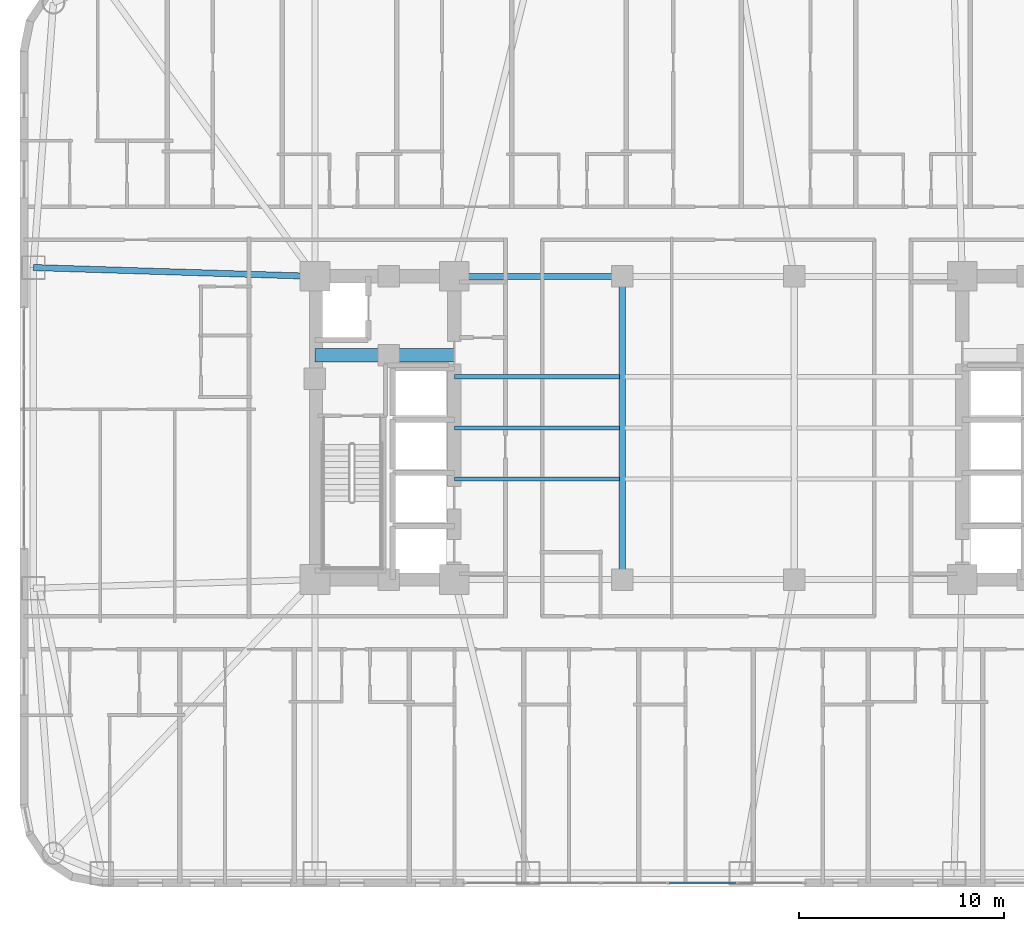
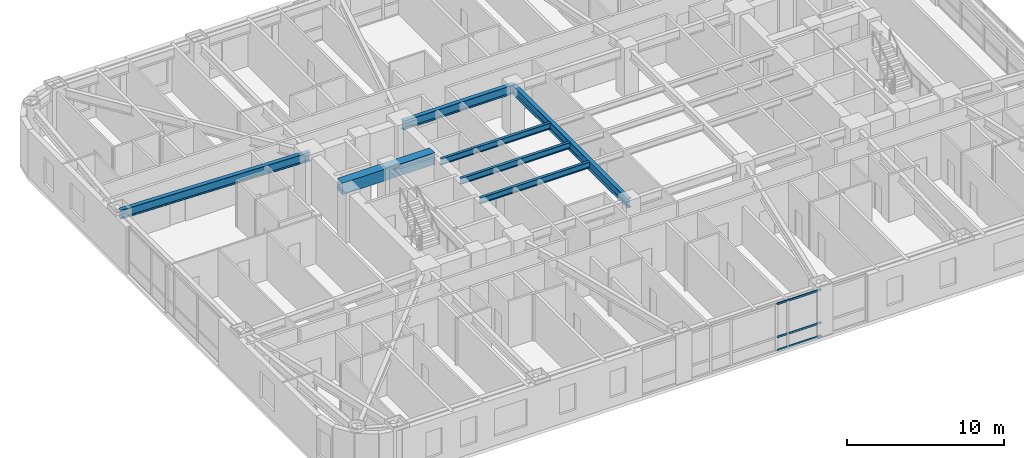
# One storey, part 8 of 28: 7 beams, 3 members, 1 element without a shape of its own.
"""IFC4 building model written with IfcOpenShell, lengths in metres."""

from ifc_helpers import new_model, si_unit, direction, frame, origin, origin_2d, place, context, subcontext, project, spatial, rectangle, hollow_rectangle, i_section, extrude, material, layer, layer_set, material_profile, profile_set, type_object, element, aggregate, save


model = new_model("IFC4")

# Units and contexts
model_context = context("Model", 3, precision=1e-05, world=origin(), true_north=direction((0.0, 1.0)))
body_context = subcontext(model_context, "Body", "Model", "MODEL_VIEW")
ifc_project = project(units=[si_unit("LENGTHUNIT", "METRE"), si_unit("AREAUNIT", "SQUARE_METRE"), si_unit("VOLUMEUNIT", "CUBIC_METRE"), si_unit("PLANEANGLEUNIT", "RADIAN"), si_unit("MASSUNIT", "GRAM", prefix="KILO")], contexts=[model_context])

# Site, building, storey
site_placement = place(None, origin())
site = spatial("IfcSite", under=ifc_project, at=site_placement, CompositionType="ELEMENT")
building_placement = place(site_placement, origin())
building = spatial("IfcBuilding", under=site, at=building_placement, Name="Voryun Gate Residences", CompositionType="ELEMENT")
storey_placement = place(building_placement, frame((0.0, 0.0, 61.10009765625)))
storey = spatial("IfcBuildingStorey", under=building, at=storey_placement, Name="L14", CompositionType="ELEMENT", Elevation=61.10009765625)

# Beams
ifc_material_1 = material(Name="Concrete C60/75", Category="concrete")
ifc_material_profile_1 = material_profile(ifc_material_1, rectangle(XDim=0.64990234375, YDim=0.89990234375, at=origin_2d()), Name="RC-650x900")
ifc_profile_set_1 = profile_set([ifc_material_profile_1], Name="Concrete C60/75")
beam_type_1 = type_object("IfcBeamType", Name="BM_COUP_RC900", PredefinedType="LINTEL", material=ifc_profile_set_1)
beam_1_placement = place(storey_placement, frame((-19.199951171875, 3.550048828125, 3.199951171875), z_axis=(1.0, 0.0, 0.0), x_axis=(0.0, 1.0, 0.0)))
element("IfcBeam", 1, at=beam_1_placement, inside=storey, type_object=beam_type_1, Name="BM-L14-WC1", PredefinedType="LINTEL", context=body_context, shape_type="SweptSolid", body=[
    extrude(rectangle(XDim=0.64990234375, YDim=0.89990234375, at=origin_2d()), origin(), (0.0, 0.0, 1.0), 6.800048828125),
])
ifc_material_2 = material(Name="Steel SM355", Category="steel")
ifc_material_profile_2 = material_profile(ifc_material_2, i_section(OverallWidth=0.300048828125, OverallDepth=0.699951171875, WebThickness=0.012939453125, FlangeThickness=0.02392578125, FilletRadius=0.01806640625, at=origin_2d()), Name="H-700x300x13x24")
ifc_profile_set_2 = profile_set([ifc_material_profile_2], Name="Steel SM355")
beam_type_2 = type_object("IfcBeamType", Name="BM_GIRD_700", PredefinedType="USERDEFINED", material=ifc_profile_set_2)
beam_2_placement = place(storey_placement, frame((-12.39990234375, 7.39990234375, 3.2998046875), z_axis=(1.0, 0.0, 0.0), x_axis=(0.0, 1.0, 0.0)))
element("IfcBeam", 2, at=beam_2_placement, inside=storey, type_object=beam_type_2, Name="BM-L14-SPG1-N", ObjectType="GIRDER", PredefinedType="USERDEFINED", context=body_context, shape_type="SweptSolid", body=[
    extrude(i_section(OverallWidth=0.300048828125, OverallDepth=0.699951171875, WebThickness=0.012939453125, FlangeThickness=0.02392578125, FilletRadius=0.01806640625, at=origin_2d()), origin(), (0.0, 0.0, 1.0), 8.199951171875),
])
beam_3_placement = place(storey_placement, frame((-4.199951171875, -7.39990234375, 3.2998046875), z_axis=(0.0, 1.0, 0.0), x_axis=(-1.0, 0.0, 0.0)))
element("IfcBeam", 3, at=beam_3_placement, inside=storey, type_object=beam_type_2, Name="BM-L14-SPX-W", ObjectType="GIRDER", PredefinedType="USERDEFINED", context=body_context, shape_type="SweptSolid", body=[
    extrude(i_section(OverallWidth=0.300048828125, OverallDepth=0.699951171875, WebThickness=0.012939453125, FlangeThickness=0.02392578125, FilletRadius=0.01806640625, at=origin_2d()), origin(), (0.0, 0.0, 1.0), 14.7998046875),
])
beam_4_placement = place(storey_placement, frame((-19.199951171875, 7.39990234375, 3.2998046875), z_axis=(-0.999510967353, 0.031270211727, 0.0), x_axis=(-0.031270211727, -0.999510967353, 0.0)))
element("IfcBeam", 4, at=beam_4_placement, inside=storey, type_object=beam_type_2, Name="BM-L14-RAD-W1", ObjectType="GIRDER", PredefinedType="USERDEFINED", context=body_context, shape_type="SweptSolid", body=[
    extrude(i_section(OverallWidth=0.300048828125, OverallDepth=0.699951171875, WebThickness=0.012939453125, FlangeThickness=0.02392578125, FilletRadius=0.01806640625, at=origin_2d()), origin(), (0.0, 0.0, 1.0), 13.7568359375),
])
ifc_material_3 = material(Name="Steel SM355", Category="steel")
ifc_material_profile_3 = material_profile(ifc_material_3, i_section(OverallWidth=0.199951171875, OverallDepth=0.47998046875, WebThickness=0.010009765625, FlangeThickness=0.01806640625, FilletRadius=0.01806640625, at=origin_2d()), Name="H-480x200x10x18")
ifc_profile_set_3 = profile_set([ifc_material_profile_3], Name="Steel SM355")
beam_type_3 = type_object("IfcBeamType", Name="BM_SEC_480", PredefinedType="BEAM", material=ifc_profile_set_3)
for number, where, z_axis, x_axis, name in (
    (5, (-12.39990234375, -2.5, 3.409912109375), (1.0, 0.0, 0.0), (0.0, 1.0, 0.0), "BM-L14-SEC-CS1"),
    (6, (-12.39990234375, 0.0, 3.409912109375), (1.0, 0.0, 0.0), (0.0, 1.0, 0.0), "BM-L14-SEC-CM1"),
    (7, (-12.39990234375, 2.5, 3.409912109375), (1.0, 0.0, 0.0), (0.0, 1.0, 0.0), "BM-L14-SEC-CN1"),
):
    element("IfcBeam", number, at=place(storey_placement, frame(where, z_axis=z_axis, x_axis=x_axis)), inside=storey, type_object=beam_type_3, Name=name, PredefinedType="BEAM", context=body_context, shape_type="SweptSolid", body=[
        extrude(i_section(OverallWidth=0.199951171875, OverallDepth=0.47998046875, WebThickness=0.010009765625, FlangeThickness=0.01806640625, FilletRadius=0.01806640625, at=origin_2d()), origin(), (0.0, 0.0, 1.0), 8.074951171875),
    ])

# Curtain wall, members
ifc_material_4 = material(Name="Anodised aluminium", Category="aluminium")
ifc_layer = layer(ifc_material_4, 0.179931640625, Name="CW_SYS_RES_A_DARK_GLASS")
ifc_layer_set = layer_set([ifc_layer], Name="Anodised aluminium")
curtain_wall_type = type_object("IfcCurtainWallType", Name="CW_SYS_RES_A_DARK_GLASS", PredefinedType="NOTDEFINED", material=ifc_layer_set)
curtain_wall_placement = place(storey_placement, origin())
curtain_wall = element("IfcCurtainWall", 8, at=curtain_wall_placement, inside=storey, type_object=curtain_wall_type, Name="Curtain wall CWT-L14-01", PredefinedType="NOTDEFINED")
ifc_material_5 = material(Name="Anodised aluminium", Category="aluminium")
ifc_material_profile_4 = material_profile(ifc_material_5, hollow_rectangle(XDim=0.070068359375, YDim=0.14990234375, WallThickness=0.00390625, at=origin_2d()), Name="ALU-TRAN-150x70x4")
ifc_profile_set_4 = profile_set([ifc_material_profile_4], Name="Anodised aluminium")
member_type = type_object("IfcMemberType", Name="CW_TRAN_RES", PredefinedType="USERDEFINED", material=ifc_profile_set_4)
member_1_placement = place(storey_placement, frame((1.3583984375, -22.2099609375, 0.02978515625), z_axis=(-1.0, 0.0, 0.0), x_axis=(0.0, -1.0, 0.0)))
member_1 = element("IfcMember", 9, at=member_1_placement, type_object=member_type, Name="CW3 transom 2.1", ObjectType="TRANSOM", PredefinedType="USERDEFINED", context=body_context, shape_type="SweptSolid", body=[
    extrude(hollow_rectangle(XDim=0.070068359375, YDim=0.14990234375, WallThickness=0.00390625, at=origin_2d()), origin(), (0.0, 0.0, 1.0), 3.265625),
])
member_2_placement = place(storey_placement, frame((1.3583984375, -22.2099609375, 1.0498046875), z_axis=(-1.0, 0.0, 0.0), x_axis=(0.0, -1.0, 0.0)))
member_2 = element("IfcMember", 10, at=member_2_placement, type_object=member_type, Name="CW3 transom 2.2", ObjectType="TRANSOM", PredefinedType="USERDEFINED", context=body_context, shape_type="SweptSolid", body=[
    extrude(hollow_rectangle(XDim=0.070068359375, YDim=0.14990234375, WallThickness=0.00390625, at=origin_2d()), origin(), (0.0, 0.0, 1.0), 3.265625),
])
member_3_placement = place(storey_placement, frame((1.3583984375, -22.2099609375, 3.619873046875), z_axis=(-1.0, 0.0, 0.0), x_axis=(0.0, -1.0, 0.0)))
member_3 = element("IfcMember", 11, at=member_3_placement, type_object=member_type, Name="CW3 transom 2.3", ObjectType="TRANSOM", PredefinedType="USERDEFINED", context=body_context, shape_type="SweptSolid", body=[
    extrude(hollow_rectangle(XDim=0.070068359375, YDim=0.14990234375, WallThickness=0.00390625, at=origin_2d()), origin(), (0.0, 0.0, 1.0), 3.265625),
])
aggregate(curtain_wall, [member_1, member_2, member_3])

save(model, "model.ifc")
